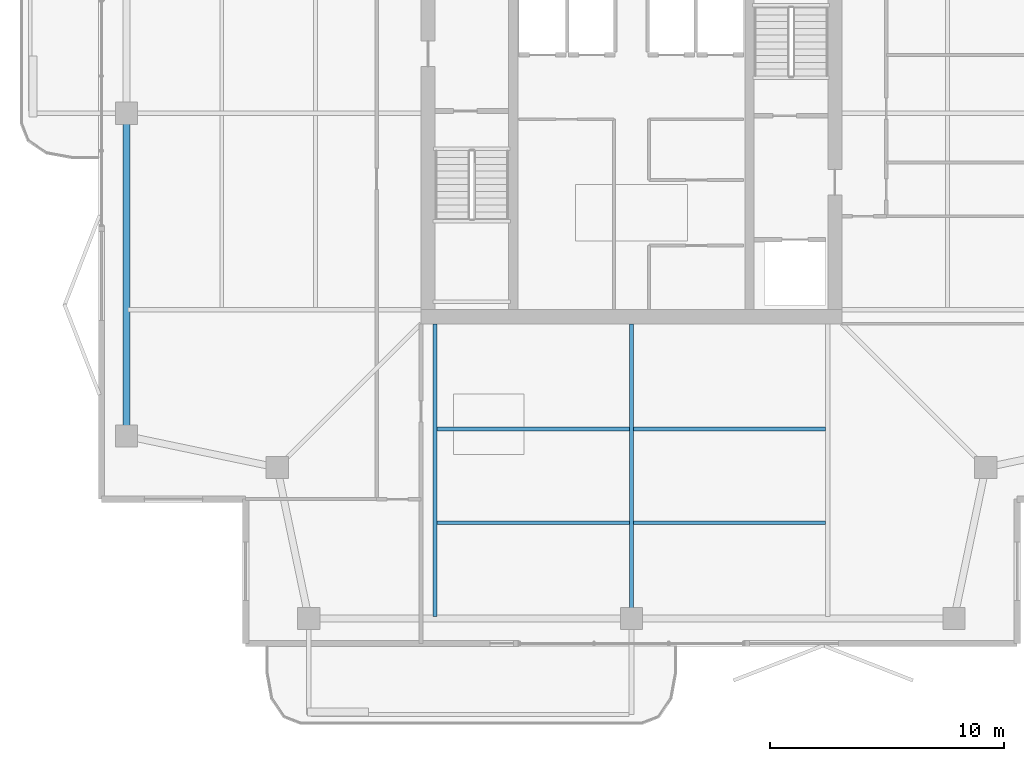
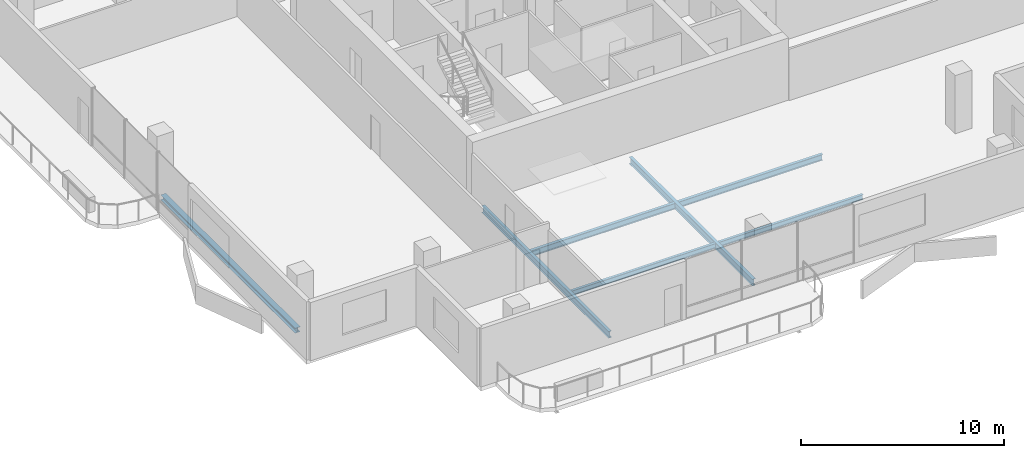
# One storey, part 4 of 17: 7 beams.
"""IFC4 building model written with IfcOpenShell, lengths in metres."""

from ifc_helpers import new_model, si_unit, direction, frame, origin, origin_2d, place, context, subcontext, project, spatial, i_section, extrude, material, material_profile, profile_set, type_object, element, save


model = new_model("IFC4")

# Units and contexts
model_context = context("Model", 3, precision=1e-05, world=origin(), true_north=direction((0.0, 1.0)))
body_context = subcontext(model_context, "Body", "Model", "MODEL_VIEW")
ifc_project = project(units=[si_unit("LENGTHUNIT", "METRE"), si_unit("AREAUNIT", "SQUARE_METRE"), si_unit("VOLUMEUNIT", "CUBIC_METRE"), si_unit("PLANEANGLEUNIT", "RADIAN"), si_unit("MASSUNIT", "GRAM", prefix="KILO")], contexts=[model_context])

# Site, building, storey
site_placement = place(None, origin())
site = spatial("IfcSite", under=ifc_project, at=site_placement, CompositionType="ELEMENT")
building_placement = place(site_placement, origin())
building = spatial("IfcBuilding", under=site, at=building_placement, Name="Belovzor Exchange Tower", CompositionType="ELEMENT")
storey_placement = place(building_placement, frame((0.0, 0.0, 303.0)))
storey = spatial("IfcBuildingStorey", under=building, at=storey_placement, Name="L75", CompositionType="ELEMENT", Elevation=303.0)

# Beams
ifc_material_1 = material(Name="Steel S355", Category="steel")
ifc_material_profile_1 = material_profile(ifc_material_1, i_section(OverallWidth=0.169921875, OverallDepth=0.360107421875, WebThickness=0.008056640625, FlangeThickness=0.0126953125, at=origin_2d()))
ifc_profile_set_1 = profile_set([ifc_material_profile_1], Name="Steel S355")
beam_type_1 = type_object("IfcBeamType", Name="Secondary Infill Floor Joist IPE 360", PredefinedType="BEAM", material=ifc_profile_set_1)
beam_1_placement = place(storey_placement, frame((20.489990234375, 15.291015625, -0.419921875), z_axis=(1.0, 0.0, 0.0), x_axis=(0.0, 1.0, 0.0)))
element("IfcBeam", 1, at=beam_1_placement, inside=storey, type_object=beam_type_1, Name="FJ-360 Secondary Infill Floor Joist IPE 360", PredefinedType="BEAM", context=body_context, shape_type="SweptSolid", body=[
    extrude(i_section(OverallWidth=0.169921875, OverallDepth=0.360107421875, WebThickness=0.008056640625, FlangeThickness=0.0126953125, at=origin_2d()), origin(), (0.0, 0.0, 1.0), 8.219970703125),
])
beam_2_placement = place(storey_placement, frame((28.889892578125, 15.291015625, -0.419921875), z_axis=(1.0, 0.0, 0.0), x_axis=(0.0, 1.0, 0.0)))
element("IfcBeam", 2, at=beam_2_placement, inside=storey, type_object=beam_type_1, Name="FJ-360 Secondary Infill Floor Joist IPE 360", PredefinedType="BEAM", context=body_context, shape_type="SweptSolid", body=[
    extrude(i_section(OverallWidth=0.169921875, OverallDepth=0.360107421875, WebThickness=0.008056640625, FlangeThickness=0.0126953125, at=origin_2d()), origin(), (0.0, 0.0, 1.0), 8.22021484375),
])
ifc_material_2 = material(Name="Steel S355", Category="steel")
ifc_material_profile_2 = material_profile(ifc_material_2, i_section(OverallWidth=0.14990234375, OverallDepth=0.300048828125, WebThickness=0.007080078125, FlangeThickness=0.0107421875, at=origin_2d()))
ifc_profile_set_2 = profile_set([ifc_material_profile_2], Name="Steel S355")
beam_type_2 = type_object("IfcBeamType", Name="Secondary Trim Floor Joist IPE 300", PredefinedType="BEAM", material=ifc_profile_set_2)
beam_3_placement = place(storey_placement, frame((20.489990234375, 11.282958984375, -0.389892578125), z_axis=(1.0, 0.0, 0.0), x_axis=(0.0, 1.0, 0.0)))
element("IfcBeam", 3, at=beam_3_placement, inside=storey, type_object=beam_type_2, Name="FJ-300 Secondary Trim Floor Joist IPE 300", PredefinedType="BEAM", context=body_context, shape_type="SweptSolid", body=[
    extrude(i_section(OverallWidth=0.14990234375, OverallDepth=0.300048828125, WebThickness=0.007080078125, FlangeThickness=0.0107421875, at=origin_2d()), origin(), (0.0, 0.0, 1.0), 8.219970703125),
])
beam_4_placement = place(storey_placement, frame((28.889892578125, 11.282958984375, -0.389892578125), z_axis=(1.0, 0.0, 0.0), x_axis=(0.0, 1.0, 0.0)))
element("IfcBeam", 4, at=beam_4_placement, inside=storey, type_object=beam_type_2, Name="FJ-300 Secondary Trim Floor Joist IPE 300", PredefinedType="BEAM", context=body_context, shape_type="SweptSolid", body=[
    extrude(i_section(OverallWidth=0.14990234375, OverallDepth=0.300048828125, WebThickness=0.007080078125, FlangeThickness=0.0107421875, at=origin_2d()), origin(), (0.0, 0.0, 1.0), 8.22021484375),
])
ifc_material_3 = material(Name="Steel S355", Category="steel")
ifc_material_profile_3 = material_profile(ifc_material_3, i_section(OverallWidth=0.179931640625, OverallDepth=0.39990234375, WebThickness=0.008544921875, FlangeThickness=0.013427734375, at=origin_2d()))
ifc_profile_set_3 = profile_set([ifc_material_profile_3], Name="Steel S355")
beam_type_3 = type_object("IfcBeamType", Name="Zone 5-6 Radial Composite Floor Beam IPE 400", PredefinedType="BEAM", material=ifc_profile_set_3)
beam_5_placement = place(storey_placement, frame((20.39990234375, 19.800048828125, -0.43994140625), z_axis=(0.0, -1.0, 0.0), x_axis=(1.0, 0.0, 0.0)))
element("IfcBeam", 5, at=beam_5_placement, inside=storey, type_object=beam_type_3, Name="FB-400 Zone 5-6 Radial Composite Floor Beam IPE 400", PredefinedType="BEAM", context=body_context, shape_type="SweptSolid", body=[
    extrude(i_section(OverallWidth=0.179931640625, OverallDepth=0.39990234375, WebThickness=0.008544921875, FlangeThickness=0.013427734375, at=origin_2d()), origin(), (0.0, 0.0, 1.0), 12.525146484375),
])
beam_6_placement = place(storey_placement, frame((28.800048828125, 19.800048828125, -0.43994140625), z_axis=(0.0, -1.0, 0.0), x_axis=(1.0, 0.0, 0.0)))
element("IfcBeam", 6, at=beam_6_placement, inside=storey, type_object=beam_type_3, Name="FB-400 Zone 5-6 Radial Composite Floor Beam IPE 400", PredefinedType="BEAM", context=body_context, shape_type="SweptSolid", body=[
    extrude(i_section(OverallWidth=0.179931640625, OverallDepth=0.39990234375, WebThickness=0.008544921875, FlangeThickness=0.013427734375, at=origin_2d()), origin(), (0.0, 0.0, 1.0), 12.18212890625),
])
ifc_material_4 = material(Name="Steel S355", Category="steel")
ifc_material_profile_4 = material_profile(ifc_material_4, i_section(OverallWidth=0.300048828125, OverallDepth=0.300048828125, WebThickness=0.008544921875, FlangeThickness=0.013916015625, at=origin_2d()))
ifc_profile_set_4 = profile_set([ifc_material_profile_4], Name="Steel S355")
beam_type_4 = type_object("IfcBeamType", Name="Zone 6 Primary Girder HEA 300", PredefinedType="BEAM", material=ifc_profile_set_4)
beam_7_placement = place(storey_placement, frame((7.199951171875, 28.5390625, -0.389892578125), z_axis=(0.0, -1.0, 0.0), x_axis=(1.0, 0.0, 0.0)))
element("IfcBeam", 7, at=beam_7_placement, inside=storey, type_object=beam_type_4, Name="FG-Z6 Zone 6 Primary Girder HEA 300", PredefinedType="BEAM", context=body_context, shape_type="SweptSolid", body=[
    extrude(i_section(OverallWidth=0.300048828125, OverallDepth=0.300048828125, WebThickness=0.008544921875, FlangeThickness=0.013916015625, at=origin_2d()), origin(), (0.0, 0.0, 1.0), 13.278076171875),
])

save(model, "model.ifc")
